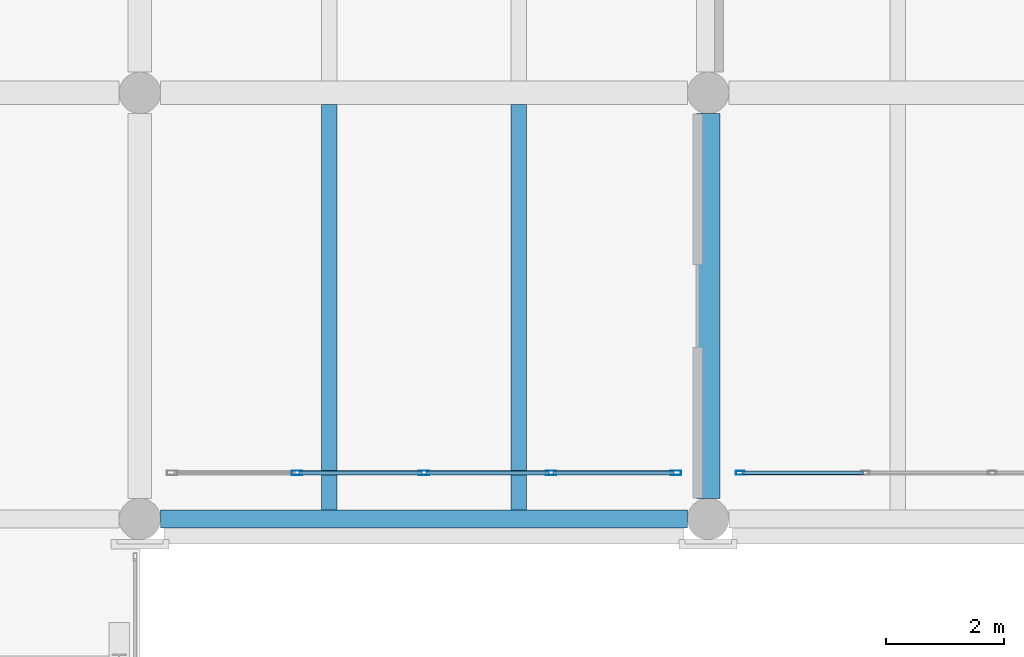
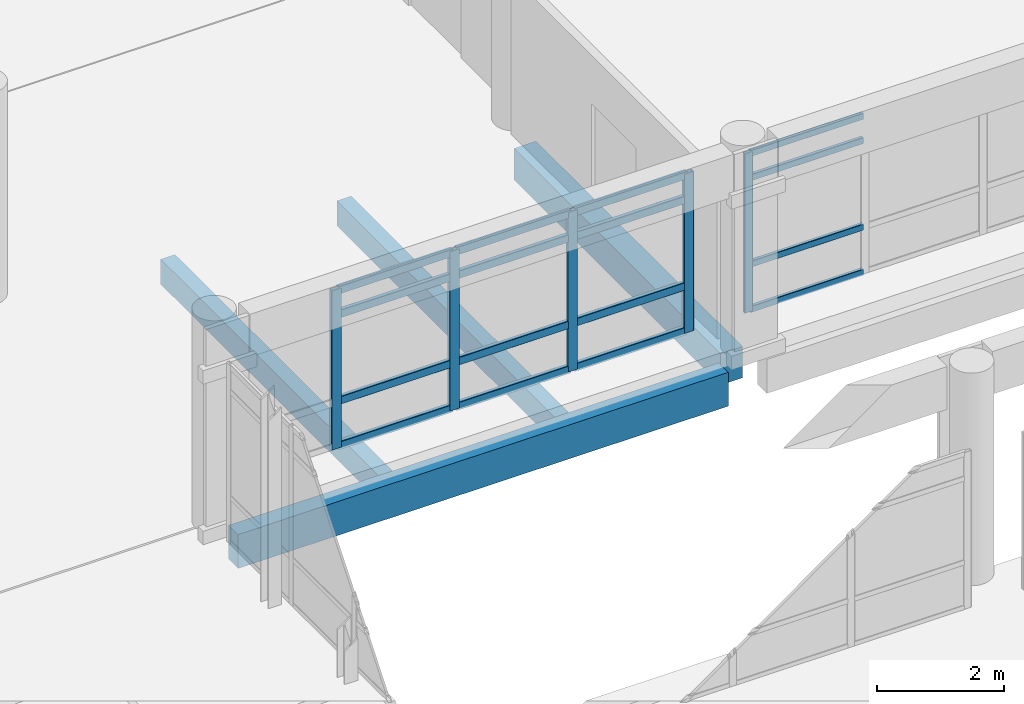
# One storey, part 45 of 180: 21 members, 4 beams, 2 elements without a shape of their own.
"""IFC4 building model written with IfcOpenShell, lengths in metres."""

from ifc_helpers import new_model, si_unit, direction, frame, origin, origin_2d, place, context, subcontext, project, spatial, rectangle, hollow_rectangle, extrude, material, layer, layer_set, material_profile, profile_set, type_object, element, aggregate, save


model = new_model("IFC4")

# Units and contexts
model_context = context("Model", 3, precision=1e-05, world=origin(), true_north=direction((0.0, 1.0)))
body_context = subcontext(model_context, "Body", "Model", "MODEL_VIEW")
ifc_project = project(units=[si_unit("LENGTHUNIT", "METRE"), si_unit("AREAUNIT", "SQUARE_METRE"), si_unit("VOLUMEUNIT", "CUBIC_METRE"), si_unit("PLANEANGLEUNIT", "RADIAN"), si_unit("MASSUNIT", "GRAM", prefix="KILO")], contexts=[model_context])

# Site, building, storey
site_placement = place(None, origin())
site = spatial("IfcSite", under=ifc_project, at=site_placement, CompositionType="ELEMENT")
building_placement = place(site_placement, origin())
building = spatial("IfcBuilding", under=site, at=building_placement, Name="Asteropetra Specialist Clinic", CompositionType="ELEMENT")
storey_placement = place(building_placement, frame((0.0, 0.0, 4.419921875)))
storey = spatial("IfcBuildingStorey", under=building, at=storey_placement, Name="L01", CompositionType="ELEMENT", Elevation=4.419921875)

# Beam
ifc_material_1 = material(Name="Concrete C35/45", Category="concrete")
ifc_material_profile_1 = material_profile(ifc_material_1, rectangle(XDim=0.39990234375, YDim=0.60009765625, at=origin_2d()), Name="RCB 400x600")
ifc_profile_set_1 = profile_set([ifc_material_profile_1], Name="Concrete C35/45")
beam_type_1 = type_object("IfcBeamType", Name="BM-RC400x600", PredefinedType="BEAM", material=ifc_profile_set_1)
beam_1_placement = place(storey_placement, frame((38.39990234375, 33.949951171875, -0.599853515625), z_axis=(0.0, 1.0, 0.0), x_axis=(-1.0, 0.0, 0.0)))
element("IfcBeam", 1, at=beam_1_placement, inside=storey, type_object=beam_type_1, Name="Beam BBM08-0338", PredefinedType="BEAM", context=body_context, shape_type="SweptSolid", body=[
    extrude(rectangle(XDim=0.39990234375, YDim=0.60009765625, at=origin_2d()), origin(), (0.0, 0.0, 1.0), 6.5),
])

# Curtain wall, member
ifc_material_2 = material(Name="Aluminium and low-E glass", Category="aluminium")
ifc_layer_1 = layer(ifc_material_2, 0.14990234375)
ifc_layer_set_1 = layer_set([ifc_layer_1], Name="Aluminium and low-E glass")
curtain_wall_type_1 = type_object("IfcCurtainWallType", Name="CW-SYS-11", PredefinedType="USERDEFINED", material=ifc_layer_set_1)
curtain_wall_1_placement = place(storey_placement, origin())
curtain_wall_1 = element("IfcCurtainWall", 2, at=curtain_wall_1_placement, inside=storey, type_object=curtain_wall_type_1, Name="Curtain Wall CW-157", ObjectType="STICK GLAZED COLONNADE", PredefinedType="USERDEFINED")
ifc_material_3 = material(Name="Aluminium 6063-T6", Category="aluminium")
ifc_material_profile_2 = material_profile(ifc_material_3, hollow_rectangle(XDim=0.06494140625, YDim=0.14990234375, WallThickness=0.00390625, InnerFilletRadius=0.00390625, OuterFilletRadius=0.008056640625, at=origin_2d()), Name="MUL 150x65x4.0")
ifc_profile_set_2 = profile_set([ifc_material_profile_2], Name="Aluminium 6063-T6")
member_type_1 = type_object("IfcMemberType", Name="CWM-150x65", PredefinedType="MULLION", material=ifc_profile_set_2)
member_1_placement = place(storey_placement, frame((38.9423828125, 34.3798828125, 0.0), z_axis=(0.0, 0.0, 1.0), x_axis=(0.0, 1.0, 0.0)))
member_1 = element("IfcMember", 3, at=member_1_placement, type_object=member_type_1, Name="CW-157 mullion 1", PredefinedType="MULLION", context=body_context, shape_type="SweptSolid", body=[
    extrude(hollow_rectangle(XDim=0.06494140625, YDim=0.14990234375, WallThickness=0.00390625, InnerFilletRadius=0.00390625, OuterFilletRadius=0.008056640625, at=origin_2d()), origin(), (0.0, 0.0, 1.0), 3.06005859375),
])

# Curtain wall, members
ifc_material_4 = material(Name="Aluminium and low-E glass", Category="aluminium")
ifc_layer_2 = layer(ifc_material_4, 0.135009765625)
ifc_layer_set_2 = layer_set([ifc_layer_2], Name="Aluminium and low-E glass")
curtain_wall_type_2 = type_object("IfcCurtainWallType", Name="CW-SYS-09", PredefinedType="USERDEFINED", material=ifc_layer_set_2)
curtain_wall_2_placement = place(storey_placement, origin())
curtain_wall_2 = element("IfcCurtainWall", 4, at=curtain_wall_2_placement, inside=storey, type_object=curtain_wall_type_2, Name="Curtain Wall CW-156", ObjectType="STICK GLAZED COLONNADE", PredefinedType="USERDEFINED")
ifc_material_5 = material(Name="Aluminium 6063-T6", Category="aluminium")
ifc_material_profile_3 = material_profile(ifc_material_5, hollow_rectangle(XDim=0.074951171875, YDim=0.179931640625, WallThickness=0.00390625, InnerFilletRadius=0.00390625, OuterFilletRadius=0.008056640625, at=origin_2d()), Name="MUL 180x75x4.0")
ifc_profile_set_3 = profile_set([ifc_material_profile_3], Name="Aluminium 6063-T6")
member_type_2 = type_object("IfcMemberType", Name="CWM-180x75", PredefinedType="MULLION", material=ifc_profile_set_3)
member_2_placement = place(storey_placement, frame((31.455078125, 34.3798828125, 0.0), z_axis=(0.0, 0.0, 1.0), x_axis=(0.0, 1.0, 0.0)))
member_2 = element("IfcMember", 5, at=member_2_placement, type_object=member_type_2, Name="CW-156 mullion 2", PredefinedType="MULLION", context=body_context, shape_type="SweptSolid", body=[
    extrude(hollow_rectangle(XDim=0.074951171875, YDim=0.179931640625, WallThickness=0.00390625, InnerFilletRadius=0.00390625, OuterFilletRadius=0.008056640625, at=origin_2d()), origin(), (0.0, 0.0, 1.0), 3.06005859375),
])
member_3_placement = place(storey_placement, frame((33.60009765625, 34.3798828125, 0.0), z_axis=(0.0, 0.0, 1.0), x_axis=(0.0, 1.0, 0.0)))
member_3 = element("IfcMember", 6, at=member_3_placement, type_object=member_type_2, Name="CW-156 mullion 3", PredefinedType="MULLION", context=body_context, shape_type="SweptSolid", body=[
    extrude(hollow_rectangle(XDim=0.074951171875, YDim=0.179931640625, WallThickness=0.00390625, InnerFilletRadius=0.00390625, OuterFilletRadius=0.008056640625, at=origin_2d()), origin(), (0.0, 0.0, 1.0), 3.06005859375),
])
member_4_placement = place(storey_placement, frame((35.7451171875, 34.3798828125, 0.0), z_axis=(0.0, 0.0, 1.0), x_axis=(0.0, 1.0, 0.0)))
member_4 = element("IfcMember", 7, at=member_4_placement, type_object=member_type_2, Name="CW-156 mullion 4", PredefinedType="MULLION", context=body_context, shape_type="SweptSolid", body=[
    extrude(hollow_rectangle(XDim=0.074951171875, YDim=0.179931640625, WallThickness=0.00390625, InnerFilletRadius=0.00390625, OuterFilletRadius=0.008056640625, at=origin_2d()), origin(), (0.0, 0.0, 1.0), 3.06005859375),
])
member_5_placement = place(storey_placement, frame((37.8525390625, 34.3798828125, 0.0), z_axis=(0.0, 0.0, 1.0), x_axis=(0.0, 1.0, 0.0)))
member_5 = element("IfcMember", 8, at=member_5_placement, type_object=member_type_2, Name="CW-156 mullion 5", PredefinedType="MULLION", context=body_context, shape_type="SweptSolid", body=[
    extrude(hollow_rectangle(XDim=0.074951171875, YDim=0.179931640625, WallThickness=0.00390625, InnerFilletRadius=0.00390625, OuterFilletRadius=0.008056640625, at=origin_2d()), origin(), (0.0, 0.0, 1.0), 3.06005859375),
])

# Member
ifc_material_6 = material(Name="Aluminium 6063-T6", Category="aluminium")
ifc_material_profile_4 = material_profile(ifc_material_6, hollow_rectangle(XDim=0.06494140625, YDim=0.1201171875, WallThickness=0.00390625, InnerFilletRadius=0.00390625, OuterFilletRadius=0.008056640625, at=origin_2d()), Name="TRN 120x65x4.0")
ifc_profile_set_4 = profile_set([ifc_material_profile_4], Name="Aluminium 6063-T6")
member_type_3 = type_object("IfcMemberType", Name="CWT-120x65", PredefinedType="USERDEFINED", material=ifc_profile_set_4)
member_6_placement = place(storey_placement, frame((38.97509765625, 34.3798828125, 0.032470703125), z_axis=(1.0, 0.0, 0.0), x_axis=(0.0, 1.0, 0.0)))
member_6 = element("IfcMember", 9, at=member_6_placement, type_object=member_type_3, Name="CW-157 transom 1.1", ObjectType="TRANSOM", PredefinedType="USERDEFINED", context=body_context, shape_type="SweptSolid", body=[
    extrude(hollow_rectangle(XDim=0.06494140625, YDim=0.1201171875, WallThickness=0.00390625, InnerFilletRadius=0.00390625, OuterFilletRadius=0.008056640625, at=origin_2d()), origin(), (0.0, 0.0, 1.0), 2.04736328125),
])

member_7_placement = place(storey_placement, frame((38.97509765625, 34.3798828125, 0.900146484375), z_axis=(1.0, 0.0, 0.0), x_axis=(0.0, 1.0, 0.0)))
member_7 = element("IfcMember", 10, at=member_7_placement, type_object=member_type_3, Name="CW-157 transom 1.2", ObjectType="TRANSOM", PredefinedType="USERDEFINED", context=body_context, shape_type="SweptSolid", body=[
    extrude(hollow_rectangle(XDim=0.06494140625, YDim=0.1201171875, WallThickness=0.00390625, InnerFilletRadius=0.00390625, OuterFilletRadius=0.008056640625, at=origin_2d()), origin(), (0.0, 0.0, 1.0), 2.04736328125),
])

member_8_placement = place(storey_placement, frame((38.97509765625, 34.3798828125, 2.56005859375), z_axis=(1.0, 0.0, 0.0), x_axis=(0.0, 1.0, 0.0)))
member_8 = element("IfcMember", 11, at=member_8_placement, type_object=member_type_3, Name="CW-157 transom 1.3", ObjectType="TRANSOM", PredefinedType="USERDEFINED", context=body_context, shape_type="SweptSolid", body=[
    extrude(hollow_rectangle(XDim=0.06494140625, YDim=0.1201171875, WallThickness=0.00390625, InnerFilletRadius=0.00390625, OuterFilletRadius=0.008056640625, at=origin_2d()), origin(), (0.0, 0.0, 1.0), 2.04736328125),
])

member_9_placement = place(storey_placement, frame((38.97509765625, 34.3798828125, 3.027587890625), z_axis=(1.0, 0.0, 0.0), x_axis=(0.0, 1.0, 0.0)))
member_9 = element("IfcMember", 12, at=member_9_placement, type_object=member_type_3, Name="CW-157 transom 1.4", ObjectType="TRANSOM", PredefinedType="USERDEFINED", context=body_context, shape_type="SweptSolid", body=[
    extrude(hollow_rectangle(XDim=0.06494140625, YDim=0.1201171875, WallThickness=0.00390625, InnerFilletRadius=0.00390625, OuterFilletRadius=0.008056640625, at=origin_2d()), origin(), (0.0, 0.0, 1.0), 2.04736328125),
])

aggregate(curtain_wall_1, [member_1, member_6, member_7, member_8, member_9])

ifc_material_7 = material(Name="Aluminium 6063-T6", Category="aluminium")
ifc_material_profile_5 = material_profile(ifc_material_7, hollow_rectangle(XDim=0.074951171875, YDim=0.14990234375, WallThickness=0.00390625, InnerFilletRadius=0.00390625, OuterFilletRadius=0.008056640625, at=origin_2d()), Name="TRN 150x75x4.0")
ifc_profile_set_5 = profile_set([ifc_material_profile_5], Name="Aluminium 6063-T6")
member_type_4 = type_object("IfcMemberType", Name="CWT-150x75", PredefinedType="USERDEFINED", material=ifc_profile_set_5)
member_10_placement = place(storey_placement, frame((31.492431640625, 34.3798828125, 0.03759765625), z_axis=(1.0, 0.0, 0.0), x_axis=(0.0, 1.0, 0.0)))
member_10 = element("IfcMember", 13, at=member_10_placement, type_object=member_type_4, Name="CW-156 transom 2.1", ObjectType="TRANSOM", PredefinedType="USERDEFINED", context=body_context, shape_type="SweptSolid", body=[
    extrude(hollow_rectangle(XDim=0.074951171875, YDim=0.14990234375, WallThickness=0.00390625, InnerFilletRadius=0.00390625, OuterFilletRadius=0.008056640625, at=origin_2d()), origin(), (0.0, 0.0, 1.0), 2.070068359375),
])

member_11_placement = place(storey_placement, frame((31.492431640625, 34.3798828125, 0.900146484375), z_axis=(1.0, 0.0, 0.0), x_axis=(0.0, 1.0, 0.0)))
member_11 = element("IfcMember", 14, at=member_11_placement, type_object=member_type_4, Name="CW-156 transom 2.2", ObjectType="TRANSOM", PredefinedType="USERDEFINED", context=body_context, shape_type="SweptSolid", body=[
    extrude(hollow_rectangle(XDim=0.074951171875, YDim=0.14990234375, WallThickness=0.00390625, InnerFilletRadius=0.00390625, OuterFilletRadius=0.008056640625, at=origin_2d()), origin(), (0.0, 0.0, 1.0), 2.070068359375),
])

member_12_placement = place(storey_placement, frame((31.492431640625, 34.3798828125, 2.56005859375), z_axis=(1.0, 0.0, 0.0), x_axis=(0.0, 1.0, 0.0)))
member_12 = element("IfcMember", 15, at=member_12_placement, type_object=member_type_4, Name="CW-156 transom 2.3", ObjectType="TRANSOM", PredefinedType="USERDEFINED", context=body_context, shape_type="SweptSolid", body=[
    extrude(hollow_rectangle(XDim=0.074951171875, YDim=0.14990234375, WallThickness=0.00390625, InnerFilletRadius=0.00390625, OuterFilletRadius=0.008056640625, at=origin_2d()), origin(), (0.0, 0.0, 1.0), 2.070068359375),
])

member_13_placement = place(storey_placement, frame((31.492431640625, 34.3798828125, 3.0224609375), z_axis=(1.0, 0.0, 0.0), x_axis=(0.0, 1.0, 0.0)))
member_13 = element("IfcMember", 16, at=member_13_placement, type_object=member_type_4, Name="CW-156 transom 2.4", ObjectType="TRANSOM", PredefinedType="USERDEFINED", context=body_context, shape_type="SweptSolid", body=[
    extrude(hollow_rectangle(XDim=0.074951171875, YDim=0.14990234375, WallThickness=0.00390625, InnerFilletRadius=0.00390625, OuterFilletRadius=0.008056640625, at=origin_2d()), origin(), (0.0, 0.0, 1.0), 2.070068359375),
])

member_14_placement = place(storey_placement, frame((33.637451171875, 34.3798828125, 0.03759765625), z_axis=(1.0, 0.0, 0.0), x_axis=(0.0, 1.0, 0.0)))
member_14 = element("IfcMember", 17, at=member_14_placement, type_object=member_type_4, Name="CW-156 transom 3.1", ObjectType="TRANSOM", PredefinedType="USERDEFINED", context=body_context, shape_type="SweptSolid", body=[
    extrude(hollow_rectangle(XDim=0.074951171875, YDim=0.14990234375, WallThickness=0.00390625, InnerFilletRadius=0.00390625, OuterFilletRadius=0.008056640625, at=origin_2d()), origin(), (0.0, 0.0, 1.0), 2.070068359375),
])

member_15_placement = place(storey_placement, frame((33.637451171875, 34.3798828125, 0.900146484375), z_axis=(1.0, 0.0, 0.0), x_axis=(0.0, 1.0, 0.0)))
member_15 = element("IfcMember", 18, at=member_15_placement, type_object=member_type_4, Name="CW-156 transom 3.2", ObjectType="TRANSOM", PredefinedType="USERDEFINED", context=body_context, shape_type="SweptSolid", body=[
    extrude(hollow_rectangle(XDim=0.074951171875, YDim=0.14990234375, WallThickness=0.00390625, InnerFilletRadius=0.00390625, OuterFilletRadius=0.008056640625, at=origin_2d()), origin(), (0.0, 0.0, 1.0), 2.070068359375),
])

member_16_placement = place(storey_placement, frame((33.637451171875, 34.3798828125, 2.56005859375), z_axis=(1.0, 0.0, 0.0), x_axis=(0.0, 1.0, 0.0)))
member_16 = element("IfcMember", 19, at=member_16_placement, type_object=member_type_4, Name="CW-156 transom 3.3", ObjectType="TRANSOM", PredefinedType="USERDEFINED", context=body_context, shape_type="SweptSolid", body=[
    extrude(hollow_rectangle(XDim=0.074951171875, YDim=0.14990234375, WallThickness=0.00390625, InnerFilletRadius=0.00390625, OuterFilletRadius=0.008056640625, at=origin_2d()), origin(), (0.0, 0.0, 1.0), 2.070068359375),
])

member_17_placement = place(storey_placement, frame((33.637451171875, 34.3798828125, 3.0224609375), z_axis=(1.0, 0.0, 0.0), x_axis=(0.0, 1.0, 0.0)))
member_17 = element("IfcMember", 20, at=member_17_placement, type_object=member_type_4, Name="CW-156 transom 3.4", ObjectType="TRANSOM", PredefinedType="USERDEFINED", context=body_context, shape_type="SweptSolid", body=[
    extrude(hollow_rectangle(XDim=0.074951171875, YDim=0.14990234375, WallThickness=0.00390625, InnerFilletRadius=0.00390625, OuterFilletRadius=0.008056640625, at=origin_2d()), origin(), (0.0, 0.0, 1.0), 2.070068359375),
])

member_18_placement = place(storey_placement, frame((35.782470703125, 34.3798828125, 0.03759765625), z_axis=(1.0, 0.0, 0.0), x_axis=(0.0, 1.0, 0.0)))
member_18 = element("IfcMember", 21, at=member_18_placement, type_object=member_type_4, Name="CW-156 transom 4.1", ObjectType="TRANSOM", PredefinedType="USERDEFINED", context=body_context, shape_type="SweptSolid", body=[
    extrude(hollow_rectangle(XDim=0.074951171875, YDim=0.14990234375, WallThickness=0.00390625, InnerFilletRadius=0.00390625, OuterFilletRadius=0.008056640625, at=origin_2d()), origin(), (0.0, 0.0, 1.0), 2.032470703125),
])

member_19_placement = place(storey_placement, frame((35.782470703125, 34.3798828125, 0.900146484375), z_axis=(1.0, 0.0, 0.0), x_axis=(0.0, 1.0, 0.0)))
member_19 = element("IfcMember", 22, at=member_19_placement, type_object=member_type_4, Name="CW-156 transom 4.2", ObjectType="TRANSOM", PredefinedType="USERDEFINED", context=body_context, shape_type="SweptSolid", body=[
    extrude(hollow_rectangle(XDim=0.074951171875, YDim=0.14990234375, WallThickness=0.00390625, InnerFilletRadius=0.00390625, OuterFilletRadius=0.008056640625, at=origin_2d()), origin(), (0.0, 0.0, 1.0), 2.032470703125),
])

member_20_placement = place(storey_placement, frame((35.782470703125, 34.3798828125, 2.56005859375), z_axis=(1.0, 0.0, 0.0), x_axis=(0.0, 1.0, 0.0)))
member_20 = element("IfcMember", 23, at=member_20_placement, type_object=member_type_4, Name="CW-156 transom 4.3", ObjectType="TRANSOM", PredefinedType="USERDEFINED", context=body_context, shape_type="SweptSolid", body=[
    extrude(hollow_rectangle(XDim=0.074951171875, YDim=0.14990234375, WallThickness=0.00390625, InnerFilletRadius=0.00390625, OuterFilletRadius=0.008056640625, at=origin_2d()), origin(), (0.0, 0.0, 1.0), 2.032470703125),
])

member_21_placement = place(storey_placement, frame((35.782470703125, 34.3798828125, 3.0224609375), z_axis=(1.0, 0.0, 0.0), x_axis=(0.0, 1.0, 0.0)))
member_21 = element("IfcMember", 24, at=member_21_placement, type_object=member_type_4, Name="CW-156 transom 4.4", ObjectType="TRANSOM", PredefinedType="USERDEFINED", context=body_context, shape_type="SweptSolid", body=[
    extrude(hollow_rectangle(XDim=0.074951171875, YDim=0.14990234375, WallThickness=0.00390625, InnerFilletRadius=0.00390625, OuterFilletRadius=0.008056640625, at=origin_2d()), origin(), (0.0, 0.0, 1.0), 2.032470703125),
])

aggregate(curtain_wall_2, [member_2, member_3, member_4, member_5, member_10, member_11, member_12, member_13, member_14, member_15, member_16, member_17, member_18, member_19, member_20, member_21])

# Beams
ifc_material_8 = material(Name="Concrete C35/45", Category="concrete")
ifc_material_profile_6 = material_profile(ifc_material_8, rectangle(XDim=0.260009765625, YDim=0.47998046875, at=origin_2d()), Name="RCJ 260x480")
ifc_profile_set_6 = profile_set([ifc_material_profile_6], Name="Concrete C35/45")
beam_type_2 = type_object("IfcBeamType", Name="JST-RC260x480", PredefinedType="JOIST", material=ifc_profile_set_6)
for number, where, z_axis, x_axis, name in (
    (25, (32.0, 33.75, -0.5400390625), (0.0, 1.0, 0.0), (-1.0, 0.0, 0.0), "Joist JJST02-0344"),
    (26, (35.199951171875, 33.75, -0.5400390625), (0.0, 1.0, 0.0), (-1.0, 0.0, 0.0), "Joist JJST02-0345"),
):
    element("IfcBeam", number, at=place(storey_placement, frame(where, z_axis=z_axis, x_axis=x_axis)), inside=storey, type_object=beam_type_2, Name=name, PredefinedType="JOIST", context=body_context, shape_type="SweptSolid", body=[
        extrude(rectangle(XDim=0.260009765625, YDim=0.47998046875, at=origin_2d()), origin(), (0.0, 0.0, 1.0), 6.85009765625),
    ])
ifc_material_9 = material(Name="Concrete C35/45", Category="concrete")
ifc_material_profile_7 = material_profile(ifc_material_9, rectangle(XDim=0.300048828125, YDim=0.64990234375, at=origin_2d()), Name="RCS 300x650")
ifc_profile_set_7 = profile_set([ifc_material_profile_7], Name="Concrete C35/45")
beam_type_3 = type_object("IfcBeamType", Name="SPN-RC300x650", PredefinedType="SPANDREL", material=ifc_profile_set_7)
beam_2_placement = place(storey_placement, frame((29.14990234375, 33.60009765625, -0.625), z_axis=(1.0, 0.0, 0.0), x_axis=(0.0, 1.0, 0.0)))
element("IfcBeam", 27, at=beam_2_placement, inside=storey, type_object=beam_type_3, Name="Beam BSPN03-0312", PredefinedType="SPANDREL", context=body_context, shape_type="SweptSolid", body=[
    extrude(rectangle(XDim=0.300048828125, YDim=0.64990234375, at=origin_2d()), origin(), (0.0, 0.0, 1.0), 8.900146484375),
])

save(model, "model.ifc")
